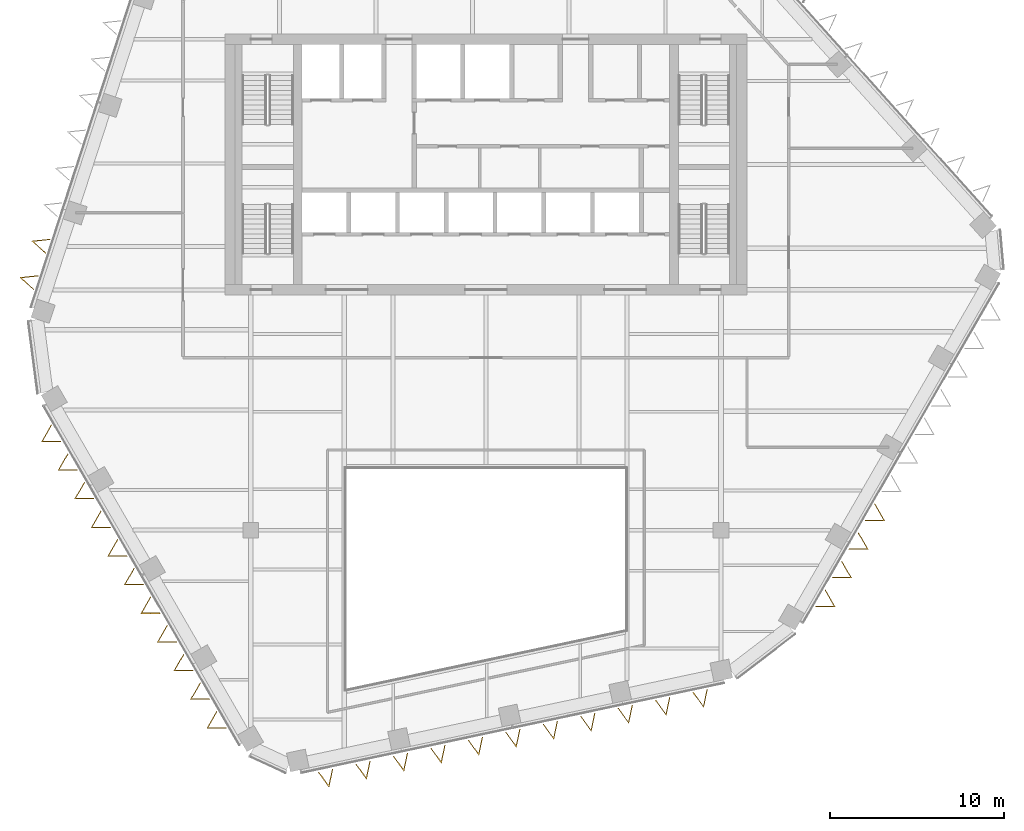
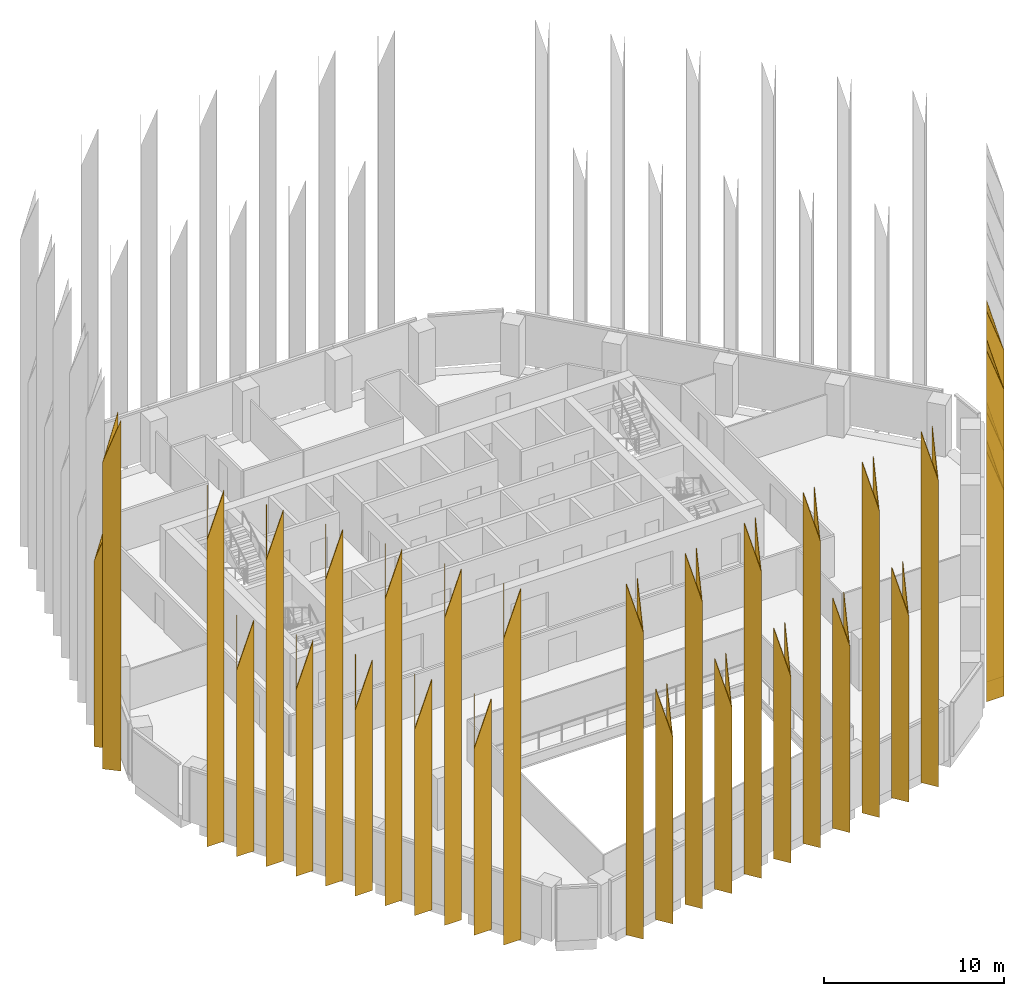
# One storey, part 16 of 18: 28 coverings.
"""IFC4 building model written with IfcOpenShell, lengths in metres."""

from ifc_helpers import new_model, si_unit, direction, frame, origin, place, context, subcontext, project, spatial, polyline, outline, faceted_brep, material, material_profile, profile_set, type_object, element, save


model = new_model("IFC4")

# Units and contexts
model_context = context("Model", 3, precision=1e-05, world=origin(), true_north=direction((0.0, 1.0)))
body_context = subcontext(model_context, "Body", "Model", "MODEL_VIEW")
ifc_project = project(units=[si_unit("LENGTHUNIT", "METRE"), si_unit("AREAUNIT", "SQUARE_METRE"), si_unit("VOLUMEUNIT", "CUBIC_METRE"), si_unit("PLANEANGLEUNIT", "RADIAN"), si_unit("MASSUNIT", "GRAM", prefix="KILO")], contexts=[model_context])

# Site, building, storey
site_placement = place(None, origin())
site = spatial("IfcSite", under=ifc_project, at=site_placement, CompositionType="ELEMENT")
building_placement = place(site_placement, origin())
building = spatial("IfcBuilding", under=site, at=building_placement, Name="Isthmus Gate Tower", CompositionType="ELEMENT")
storey_placement = place(building_placement, frame((0.0, 0.0, 238.199951171875)))
storey = spatial("IfcBuildingStorey", under=building, at=storey_placement, Name="L60", CompositionType="ELEMENT", Elevation=238.199951171875)

# Coverings
ifc_material_1 = material(Name="Structural steel ASTM A572 Gr 50, white paint system", Category="steel")
ifc_material_profile_1 = material_profile(ifc_material_1, outline(polyline([(0.0, -0.427490234375), (0.9599609375, 0.0), (0.0, 0.427490234375), (0.0, 0.39453125), (0.88623046875, 0.0), (0.0, -0.39453125), (0.0, -0.427490234375)])), Name="V960")
ifc_profile_set_1 = profile_set([ifc_material_profile_1], Name="Structural steel ASTM A572 Gr 50, white paint system")
covering_type_1 = type_object("IfcCoveringType", Name="FIN V 960 DEEP", PredefinedType="CLADDING", material=ifc_profile_set_1)
covering_1_placement = place(storey_placement, frame((0.0, 0.0, -238.199951171875)))
element("IfcCovering", 1, at=covering_1_placement, inside=storey, type_object=covering_type_1, Name="FIN", ObjectType="FIN", PredefinedType="CLADDING", context=body_context, shape_type="Brep", body=[
    faceted_brep([(-25.046630859375, 3.1806640625, 237.800048828125), (-26.01123046875, 3.079345703125, 237.800048828125), (-25.290283203125, 2.43017578125, 237.800048828125), (-25.300537109375, 2.39892578125, 237.800048828125), (-26.08154296875, 3.10205078125, 237.800048828125), (-25.036376953125, 3.2119140625, 237.800048828125), (-25.036376953125, 3.2119140625, 253.39990234375), (-26.08154296875, 3.10205078125, 250.39990234375), (-25.300537109375, 2.39892578125, 253.39990234375), (-25.290283203125, 2.43017578125, 253.39990234375), (-26.01123046875, 3.079345703125, 250.63037109375), (-25.046630859375, 3.1806640625, 253.39990234375)], [[[0, 1, 2, 3, 4, 5]], [[6, 7, 8, 9, 10, 11]], [[5, 4, 7, 6]], [[4, 3, 8, 7]], [[3, 2, 9, 8]], [[2, 1, 10, 9]], [[1, 0, 11, 10]], [[0, 5, 6, 11]]]),
])
covering_2_placement = place(storey_placement, frame((0.0, 0.0, -238.199951171875)))
element("IfcCovering", 2, at=covering_2_placement, inside=storey, type_object=covering_type_1, Name="FIN", ObjectType="FIN", PredefinedType="CLADDING", context=body_context, shape_type="Brep", body=[
    faceted_brep([(-25.7265625, 1.08837890625, 237.800048828125), (-26.691162109375, 0.987060546875, 237.800048828125), (-25.97021484375, 0.337890625, 237.800048828125), (-25.98046875, 0.306640625, 237.800048828125), (-26.761474609375, 1.009765625, 237.800048828125), (-25.71630859375, 1.11962890625, 237.800048828125), (-25.71630859375, 1.11962890625, 261.550048828125), (-26.761474609375, 1.009765625, 258.550048828125), (-25.98046875, 0.306640625, 261.550048828125), (-25.97021484375, 0.337890625, 261.550048828125), (-26.691162109375, 0.987060546875, 258.780517578125), (-25.7265625, 1.08837890625, 261.550048828125)], [[[0, 1, 2, 3, 4, 5]], [[6, 7, 8, 9, 10, 11]], [[5, 4, 7, 6]], [[4, 3, 8, 7]], [[3, 2, 9, 8]], [[2, 1, 10, 9]], [[1, 0, 11, 10]], [[0, 5, 6, 11]]]),
])
covering_3_placement = place(storey_placement, frame((0.0, 0.0, -238.199951171875)))
element("IfcCovering", 3, at=covering_3_placement, inside=storey, type_object=covering_type_1, Name="FIN", ObjectType="FIN", PredefinedType="CLADDING", context=body_context, shape_type="Brep", body=[
    faceted_brep([(-9.5986328125, -27.39794921875, 237.800048828125), (-9.0283203125, -28.182861328125, 237.800048828125), (-8.82666015625, -27.23388671875, 237.800048828125), (-8.794677734375, -27.22705078125, 237.800048828125), (-9.012939453125, -28.2548828125, 237.800048828125), (-9.630615234375, -27.40478515625, 237.800048828125), (-9.630615234375, -27.40478515625, 261.550048828125), (-9.012939453125, -28.2548828125, 258.550048828125), (-8.794677734375, -27.22705078125, 261.550048828125), (-8.82666015625, -27.23388671875, 261.550048828125), (-9.0283203125, -28.182861328125, 258.780517578125), (-9.5986328125, -27.39794921875, 261.550048828125)], [[[0, 1, 2, 3, 4, 5]], [[6, 7, 8, 9, 10, 11]], [[5, 4, 7, 6]], [[4, 3, 8, 7]], [[3, 2, 9, 8]], [[2, 1, 10, 9]], [[1, 0, 11, 10]], [[0, 5, 6, 11]]]),
])
covering_4_placement = place(storey_placement, frame((0.0, 0.0, -238.199951171875)))
element("IfcCovering", 4, at=covering_4_placement, inside=storey, type_object=covering_type_1, Name="FIN", ObjectType="FIN", PredefinedType="CLADDING", context=body_context, shape_type="Brep", body=[
    faceted_brep([(-7.44677734375, -26.940673828125, 237.800048828125), (-6.87646484375, -27.7255859375, 237.800048828125), (-6.6748046875, -26.776611328125, 237.800048828125), (-6.642822265625, -26.769775390625, 237.800048828125), (-6.861083984375, -27.797607421875, 237.800048828125), (-7.478759765625, -26.947509765625, 237.800048828125), (-7.478759765625, -26.947509765625, 253.39990234375), (-6.861083984375, -27.797607421875, 250.39990234375), (-6.642822265625, -26.769775390625, 253.39990234375), (-6.6748046875, -26.776611328125, 253.39990234375), (-6.87646484375, -27.7255859375, 250.63037109375), (-7.44677734375, -26.940673828125, 253.39990234375)], [[[0, 1, 2, 3, 4, 5]], [[6, 7, 8, 9, 10, 11]], [[5, 4, 7, 6]], [[4, 3, 8, 7]], [[3, 2, 9, 8]], [[2, 1, 10, 9]], [[1, 0, 11, 10]], [[0, 5, 6, 11]]]),
])
covering_5_placement = place(storey_placement, frame((0.0, 0.0, -238.199951171875)))
element("IfcCovering", 5, at=covering_5_placement, inside=storey, type_object=covering_type_1, Name="FIN", ObjectType="FIN", PredefinedType="CLADDING", context=body_context, shape_type="Brep", body=[
    faceted_brep([(-5.294921875, -26.483154296875, 237.800048828125), (-4.724609375, -27.26806640625, 237.800048828125), (-4.52294921875, -26.319091796875, 237.800048828125), (-4.490966796875, -26.312255859375, 237.800048828125), (-4.709228515625, -27.340087890625, 237.800048828125), (-5.326904296875, -26.489990234375, 237.800048828125), (-5.326904296875, -26.489990234375, 261.550048828125), (-4.709228515625, -27.340087890625, 258.550048828125), (-4.490966796875, -26.312255859375, 261.550048828125), (-4.52294921875, -26.319091796875, 261.550048828125), (-4.724609375, -27.26806640625, 258.780517578125), (-5.294921875, -26.483154296875, 261.550048828125)], [[[0, 1, 2, 3, 4, 5]], [[6, 7, 8, 9, 10, 11]], [[5, 4, 7, 6]], [[4, 3, 8, 7]], [[3, 2, 9, 8]], [[2, 1, 10, 9]], [[1, 0, 11, 10]], [[0, 5, 6, 11]]]),
])
covering_6_placement = place(storey_placement, frame((0.0, 0.0, -238.199951171875)))
element("IfcCovering", 6, at=covering_6_placement, inside=storey, type_object=covering_type_1, Name="FIN", ObjectType="FIN", PredefinedType="CLADDING", context=body_context, shape_type="Brep", body=[
    faceted_brep([(-3.142822265625, -26.02587890625, 237.800048828125), (-2.572509765625, -26.810791015625, 237.800048828125), (-2.370849609375, -25.86181640625, 237.800048828125), (-2.3388671875, -25.85498046875, 237.800048828125), (-2.55712890625, -26.8828125, 237.800048828125), (-3.1748046875, -26.03271484375, 237.800048828125), (-3.1748046875, -26.03271484375, 253.39990234375), (-2.55712890625, -26.8828125, 250.39990234375), (-2.3388671875, -25.85498046875, 253.39990234375), (-2.370849609375, -25.86181640625, 253.39990234375), (-2.572509765625, -26.810791015625, 250.63037109375), (-3.142822265625, -26.02587890625, 253.39990234375)], [[[0, 1, 2, 3, 4, 5]], [[6, 7, 8, 9, 10, 11]], [[5, 4, 7, 6]], [[4, 3, 8, 7]], [[3, 2, 9, 8]], [[2, 1, 10, 9]], [[1, 0, 11, 10]], [[0, 5, 6, 11]]]),
])
covering_7_placement = place(storey_placement, frame((0.0, 0.0, -238.199951171875)))
element("IfcCovering", 7, at=covering_7_placement, inside=storey, type_object=covering_type_1, Name="FIN", ObjectType="FIN", PredefinedType="CLADDING", context=body_context, shape_type="Brep", body=[
    faceted_brep([(-0.990966796875, -25.568359375, 237.800048828125), (-0.420654296875, -26.353271484375, 237.800048828125), (-0.218994140625, -25.404296875, 237.800048828125), (-0.18701171875, -25.3974609375, 237.800048828125), (-0.4052734375, -26.42529296875, 237.800048828125), (-1.02294921875, -25.5751953125, 237.800048828125), (-1.02294921875, -25.5751953125, 261.550048828125), (-0.4052734375, -26.42529296875, 258.550048828125), (-0.18701171875, -25.3974609375, 261.550048828125), (-0.218994140625, -25.404296875, 261.550048828125), (-0.420654296875, -26.353271484375, 258.780517578125), (-0.990966796875, -25.568359375, 261.550048828125)], [[[0, 1, 2, 3, 4, 5]], [[6, 7, 8, 9, 10, 11]], [[5, 4, 7, 6]], [[4, 3, 8, 7]], [[3, 2, 9, 8]], [[2, 1, 10, 9]], [[1, 0, 11, 10]], [[0, 5, 6, 11]]]),
])
covering_8_placement = place(storey_placement, frame((0.0, 0.0, -238.199951171875)))
element("IfcCovering", 8, at=covering_8_placement, inside=storey, type_object=covering_type_1, Name="FIN", ObjectType="FIN", PredefinedType="CLADDING", context=body_context, shape_type="Brep", body=[
    faceted_brep([(1.160888671875, -25.111083984375, 237.800048828125), (1.731201171875, -25.89599609375, 237.800048828125), (1.932861328125, -24.947021484375, 237.800048828125), (1.96484375, -24.940185546875, 237.800048828125), (1.74658203125, -25.968017578125, 237.800048828125), (1.12890625, -25.117919921875, 237.800048828125), (1.12890625, -25.117919921875, 253.39990234375), (1.74658203125, -25.968017578125, 250.39990234375), (1.96484375, -24.940185546875, 253.39990234375), (1.932861328125, -24.947021484375, 253.39990234375), (1.731201171875, -25.89599609375, 250.63037109375), (1.160888671875, -25.111083984375, 253.39990234375)], [[[0, 1, 2, 3, 4, 5]], [[6, 7, 8, 9, 10, 11]], [[5, 4, 7, 6]], [[4, 3, 8, 7]], [[3, 2, 9, 8]], [[2, 1, 10, 9]], [[1, 0, 11, 10]], [[0, 5, 6, 11]]]),
])
covering_9_placement = place(storey_placement, frame((0.0, 0.0, -238.199951171875)))
element("IfcCovering", 9, at=covering_9_placement, inside=storey, type_object=covering_type_1, Name="FIN", ObjectType="FIN", PredefinedType="CLADDING", context=body_context, shape_type="Brep", body=[
    faceted_brep([(3.31298828125, -24.653564453125, 237.800048828125), (3.88330078125, -25.4384765625, 237.800048828125), (4.0849609375, -24.489501953125, 237.800048828125), (4.116943359375, -24.482666015625, 237.800048828125), (3.898681640625, -25.510498046875, 237.800048828125), (3.281005859375, -24.660400390625, 237.800048828125), (3.281005859375, -24.660400390625, 261.550048828125), (3.898681640625, -25.510498046875, 258.550048828125), (4.116943359375, -24.482666015625, 261.550048828125), (4.0849609375, -24.489501953125, 261.550048828125), (3.88330078125, -25.4384765625, 258.780517578125), (3.31298828125, -24.653564453125, 261.550048828125)], [[[0, 1, 2, 3, 4, 5]], [[6, 7, 8, 9, 10, 11]], [[5, 4, 7, 6]], [[4, 3, 8, 7]], [[3, 2, 9, 8]], [[2, 1, 10, 9]], [[1, 0, 11, 10]], [[0, 5, 6, 11]]]),
])
covering_10_placement = place(storey_placement, frame((0.0, 0.0, -238.199951171875)))
element("IfcCovering", 10, at=covering_10_placement, inside=storey, type_object=covering_type_1, Name="FIN", ObjectType="FIN", PredefinedType="CLADDING", context=body_context, shape_type="Brep", body=[
    faceted_brep([(5.46484375, -24.1962890625, 237.800048828125), (6.03515625, -24.981201171875, 237.800048828125), (6.23681640625, -24.0322265625, 237.800048828125), (6.268798828125, -24.025390625, 237.800048828125), (6.050537109375, -25.05322265625, 237.800048828125), (5.432861328125, -24.203125, 237.800048828125), (5.432861328125, -24.203125, 253.39990234375), (6.050537109375, -25.05322265625, 250.39990234375), (6.268798828125, -24.025390625, 253.39990234375), (6.23681640625, -24.0322265625, 253.39990234375), (6.03515625, -24.981201171875, 250.63037109375), (5.46484375, -24.1962890625, 253.39990234375)], [[[0, 1, 2, 3, 4, 5]], [[6, 7, 8, 9, 10, 11]], [[5, 4, 7, 6]], [[4, 3, 8, 7]], [[3, 2, 9, 8]], [[2, 1, 10, 9]], [[1, 0, 11, 10]], [[0, 5, 6, 11]]]),
])
covering_11_placement = place(storey_placement, frame((0.0, 0.0, -238.199951171875)))
element("IfcCovering", 11, at=covering_11_placement, inside=storey, type_object=covering_type_1, Name="FIN", ObjectType="FIN", PredefinedType="CLADDING", context=body_context, shape_type="Brep", body=[
    faceted_brep([(7.61669921875, -23.73876953125, 237.800048828125), (8.18701171875, -24.523681640625, 237.800048828125), (8.388671875, -23.57470703125, 237.800048828125), (8.420654296875, -23.56787109375, 237.800048828125), (8.202392578125, -24.595703125, 237.800048828125), (7.584716796875, -23.74560546875, 237.800048828125), (7.584716796875, -23.74560546875, 261.550048828125), (8.202392578125, -24.595703125, 258.550048828125), (8.420654296875, -23.56787109375, 261.550048828125), (8.388671875, -23.57470703125, 261.550048828125), (8.18701171875, -24.523681640625, 258.780517578125), (7.61669921875, -23.73876953125, 261.550048828125)], [[[0, 1, 2, 3, 4, 5]], [[6, 7, 8, 9, 10, 11]], [[5, 4, 7, 6]], [[4, 3, 8, 7]], [[3, 2, 9, 8]], [[2, 1, 10, 9]], [[1, 0, 11, 10]], [[0, 5, 6, 11]]]),
])
covering_12_placement = place(storey_placement, frame((0.0, 0.0, -238.199951171875)))
element("IfcCovering", 12, at=covering_12_placement, inside=storey, type_object=covering_type_1, Name="FIN", ObjectType="FIN", PredefinedType="CLADDING", context=body_context, shape_type="Brep", body=[
    faceted_brep([(9.7685546875, -23.281494140625, 237.800048828125), (10.3388671875, -24.06640625, 237.800048828125), (10.54052734375, -23.117431640625, 237.800048828125), (10.572509765625, -23.110595703125, 237.800048828125), (10.354248046875, -24.138427734375, 237.800048828125), (9.736572265625, -23.288330078125, 237.800048828125), (9.736572265625, -23.288330078125, 253.39990234375), (10.354248046875, -24.138427734375, 250.39990234375), (10.572509765625, -23.110595703125, 253.39990234375), (10.54052734375, -23.117431640625, 253.39990234375), (10.3388671875, -24.06640625, 250.63037109375), (9.7685546875, -23.281494140625, 253.39990234375)], [[[0, 1, 2, 3, 4, 5]], [[6, 7, 8, 9, 10, 11]], [[5, 4, 7, 6]], [[4, 3, 8, 7]], [[3, 2, 9, 8]], [[2, 1, 10, 9]], [[1, 0, 11, 10]], [[0, 5, 6, 11]]]),
])
covering_13_placement = place(storey_placement, frame((0.0, 0.0, -238.199951171875)))
element("IfcCovering", 13, at=covering_13_placement, inside=storey, type_object=covering_type_1, Name="FIN", ObjectType="FIN", PredefinedType="CLADDING", context=body_context, shape_type="Brep", body=[
    faceted_brep([(11.920654296875, -22.823974609375, 237.800048828125), (12.490966796875, -23.60888671875, 237.800048828125), (12.692626953125, -22.659912109375, 237.800048828125), (12.724609375, -22.653076171875, 237.800048828125), (12.50634765625, -23.680908203125, 237.800048828125), (11.888671875, -22.830810546875, 237.800048828125), (11.888671875, -22.830810546875, 261.550048828125), (12.50634765625, -23.680908203125, 258.550048828125), (12.724609375, -22.653076171875, 261.550048828125), (12.692626953125, -22.659912109375, 261.550048828125), (12.490966796875, -23.60888671875, 258.780517578125), (11.920654296875, -22.823974609375, 261.550048828125)], [[[0, 1, 2, 3, 4, 5]], [[6, 7, 8, 9, 10, 11]], [[5, 4, 7, 6]], [[4, 3, 8, 7]], [[3, 2, 9, 8]], [[2, 1, 10, 9]], [[1, 0, 11, 10]], [[0, 5, 6, 11]]]),
])
ifc_material_2 = material(Name="Structural steel ASTM A572 Gr 50, white paint system", Category="steel")
ifc_material_profile_2 = material_profile(ifc_material_2, outline(polyline([(0.0, -0.55419921875), (0.9599609375, 0.0), (0.0, 0.55419921875), (0.0, 0.51953125), (0.89990234375, 0.0), (0.0, -0.51953125), (0.0, -0.55419921875)])), Name="V960W")
ifc_profile_set_2 = profile_set([ifc_material_profile_2], Name="Structural steel ASTM A572 Gr 50, white paint system")
covering_type_2 = type_object("IfcCoveringType", Name="FIN V 960 DEEP WIDE", PredefinedType="CLADDING", material=ifc_profile_set_2)
covering_14_placement = place(storey_placement, frame((0.0, 0.0, -238.199951171875)))
element("IfcCovering", 14, at=covering_14_placement, inside=storey, type_object=covering_type_2, Name="FIN", ObjectType="FIN", PredefinedType="CLADDING", context=body_context, shape_type="Brep", body=[
    faceted_brep([(-24.948486328125, -7.488037109375, 237.800048828125), (-25.46826171875, -8.387939453125, 237.800048828125), (-24.428955078125, -8.387939453125, 237.800048828125), (-24.41162109375, -8.41796875, 237.800048828125), (-25.52001953125, -8.41796875, 237.800048828125), (-24.9658203125, -7.4580078125, 237.800048828125), (-24.9658203125, -7.4580078125, 261.550048828125), (-25.52001953125, -8.41796875, 258.550048828125), (-24.41162109375, -8.41796875, 261.550048828125), (-24.428955078125, -8.387939453125, 261.550048828125), (-25.46826171875, -8.387939453125, 258.737548828125), (-24.948486328125, -7.488037109375, 261.550048828125)], [[[0, 1, 2, 3, 4, 5]], [[6, 7, 8, 9, 10, 11]], [[5, 4, 7, 6]], [[4, 3, 8, 7]], [[3, 2, 9, 8]], [[2, 1, 10, 9]], [[1, 0, 11, 10]], [[0, 5, 6, 11]]]),
])
covering_15_placement = place(storey_placement, frame((0.0, 0.0, -238.199951171875)))
element("IfcCovering", 15, at=covering_15_placement, inside=storey, type_object=covering_type_2, Name="FIN", ObjectType="FIN", PredefinedType="CLADDING", context=body_context, shape_type="Brep", body=[
    faceted_brep([(-23.99853515625, -9.13330078125, 237.800048828125), (-24.518310546875, -10.033203125, 237.800048828125), (-23.47900390625, -10.033203125, 237.800048828125), (-23.461669921875, -10.063232421875, 237.800048828125), (-24.570068359375, -10.063232421875, 237.800048828125), (-24.015869140625, -9.103271484375, 237.800048828125), (-24.015869140625, -9.103271484375, 253.39990234375), (-24.570068359375, -10.063232421875, 250.39990234375), (-23.461669921875, -10.063232421875, 253.39990234375), (-23.47900390625, -10.033203125, 253.39990234375), (-24.518310546875, -10.033203125, 250.58740234375), (-23.99853515625, -9.13330078125, 253.39990234375)], [[[0, 1, 2, 3, 4, 5]], [[6, 7, 8, 9, 10, 11]], [[5, 4, 7, 6]], [[4, 3, 8, 7]], [[3, 2, 9, 8]], [[2, 1, 10, 9]], [[1, 0, 11, 10]], [[0, 5, 6, 11]]]),
])
covering_16_placement = place(storey_placement, frame((0.0, 0.0, -238.199951171875)))
element("IfcCovering", 16, at=covering_16_placement, inside=storey, type_object=covering_type_2, Name="FIN", ObjectType="FIN", PredefinedType="CLADDING", context=body_context, shape_type="Brep", body=[
    faceted_brep([(-23.048583984375, -10.77880859375, 237.800048828125), (-23.568359375, -11.6787109375, 237.800048828125), (-22.529052734375, -11.6787109375, 237.800048828125), (-22.51171875, -11.708740234375, 237.800048828125), (-23.6201171875, -11.708740234375, 237.800048828125), (-23.06591796875, -10.748779296875, 237.800048828125), (-23.06591796875, -10.748779296875, 261.550048828125), (-23.6201171875, -11.708740234375, 258.550048828125), (-22.51171875, -11.708740234375, 261.550048828125), (-22.529052734375, -11.6787109375, 261.550048828125), (-23.568359375, -11.6787109375, 258.737548828125), (-23.048583984375, -10.77880859375, 261.550048828125)], [[[0, 1, 2, 3, 4, 5]], [[6, 7, 8, 9, 10, 11]], [[5, 4, 7, 6]], [[4, 3, 8, 7]], [[3, 2, 9, 8]], [[2, 1, 10, 9]], [[1, 0, 11, 10]], [[0, 5, 6, 11]]]),
])
covering_17_placement = place(storey_placement, frame((0.0, 0.0, -238.199951171875)))
element("IfcCovering", 17, at=covering_17_placement, inside=storey, type_object=covering_type_2, Name="FIN", ObjectType="FIN", PredefinedType="CLADDING", context=body_context, shape_type="Brep", body=[
    faceted_brep([(-22.098388671875, -12.42431640625, 237.800048828125), (-22.6181640625, -13.32421875, 237.800048828125), (-21.578857421875, -13.32421875, 237.800048828125), (-21.5615234375, -13.354248046875, 237.800048828125), (-22.669921875, -13.354248046875, 237.800048828125), (-22.11572265625, -12.394287109375, 237.800048828125), (-22.11572265625, -12.394287109375, 253.39990234375), (-22.669921875, -13.354248046875, 250.39990234375), (-21.5615234375, -13.354248046875, 253.39990234375), (-21.578857421875, -13.32421875, 253.39990234375), (-22.6181640625, -13.32421875, 250.58740234375), (-22.098388671875, -12.42431640625, 253.39990234375)], [[[0, 1, 2, 3, 4, 5]], [[6, 7, 8, 9, 10, 11]], [[5, 4, 7, 6]], [[4, 3, 8, 7]], [[3, 2, 9, 8]], [[2, 1, 10, 9]], [[1, 0, 11, 10]], [[0, 5, 6, 11]]]),
])
covering_18_placement = place(storey_placement, frame((0.0, 0.0, -238.199951171875)))
element("IfcCovering", 18, at=covering_18_placement, inside=storey, type_object=covering_type_2, Name="FIN", ObjectType="FIN", PredefinedType="CLADDING", context=body_context, shape_type="Brep", body=[
    faceted_brep([(-21.1484375, -14.06982421875, 237.800048828125), (-21.668212890625, -14.9697265625, 237.800048828125), (-20.62890625, -14.9697265625, 237.800048828125), (-20.611572265625, -14.999755859375, 237.800048828125), (-21.719970703125, -14.999755859375, 237.800048828125), (-21.165771484375, -14.039794921875, 237.800048828125), (-21.165771484375, -14.039794921875, 261.550048828125), (-21.719970703125, -14.999755859375, 258.550048828125), (-20.611572265625, -14.999755859375, 261.550048828125), (-20.62890625, -14.9697265625, 261.550048828125), (-21.668212890625, -14.9697265625, 258.737548828125), (-21.1484375, -14.06982421875, 261.550048828125)], [[[0, 1, 2, 3, 4, 5]], [[6, 7, 8, 9, 10, 11]], [[5, 4, 7, 6]], [[4, 3, 8, 7]], [[3, 2, 9, 8]], [[2, 1, 10, 9]], [[1, 0, 11, 10]], [[0, 5, 6, 11]]]),
])
covering_19_placement = place(storey_placement, frame((0.0, 0.0, -238.199951171875)))
element("IfcCovering", 19, at=covering_19_placement, inside=storey, type_object=covering_type_2, Name="FIN", ObjectType="FIN", PredefinedType="CLADDING", context=body_context, shape_type="Brep", body=[
    faceted_brep([(-20.198486328125, -15.715087890625, 237.800048828125), (-20.71826171875, -16.614990234375, 237.800048828125), (-19.678955078125, -16.614990234375, 237.800048828125), (-19.66162109375, -16.64501953125, 237.800048828125), (-20.77001953125, -16.64501953125, 237.800048828125), (-20.2158203125, -15.68505859375, 237.800048828125), (-20.2158203125, -15.68505859375, 253.39990234375), (-20.77001953125, -16.64501953125, 250.39990234375), (-19.66162109375, -16.64501953125, 253.39990234375), (-19.678955078125, -16.614990234375, 253.39990234375), (-20.71826171875, -16.614990234375, 250.58740234375), (-20.198486328125, -15.715087890625, 253.39990234375)], [[[0, 1, 2, 3, 4, 5]], [[6, 7, 8, 9, 10, 11]], [[5, 4, 7, 6]], [[4, 3, 8, 7]], [[3, 2, 9, 8]], [[2, 1, 10, 9]], [[1, 0, 11, 10]], [[0, 5, 6, 11]]]),
])
covering_20_placement = place(storey_placement, frame((0.0, 0.0, -238.199951171875)))
element("IfcCovering", 20, at=covering_20_placement, inside=storey, type_object=covering_type_2, Name="FIN", ObjectType="FIN", PredefinedType="CLADDING", context=body_context, shape_type="Brep", body=[
    faceted_brep([(-19.24853515625, -17.360595703125, 237.800048828125), (-19.768310546875, -18.260498046875, 237.800048828125), (-18.72900390625, -18.260498046875, 237.800048828125), (-18.711669921875, -18.29052734375, 237.800048828125), (-19.820068359375, -18.29052734375, 237.800048828125), (-19.265869140625, -17.33056640625, 237.800048828125), (-19.265869140625, -17.33056640625, 261.550048828125), (-19.820068359375, -18.29052734375, 258.550048828125), (-18.711669921875, -18.29052734375, 261.550048828125), (-18.72900390625, -18.260498046875, 261.550048828125), (-19.768310546875, -18.260498046875, 258.737548828125), (-19.24853515625, -17.360595703125, 261.550048828125)], [[[0, 1, 2, 3, 4, 5]], [[6, 7, 8, 9, 10, 11]], [[5, 4, 7, 6]], [[4, 3, 8, 7]], [[3, 2, 9, 8]], [[2, 1, 10, 9]], [[1, 0, 11, 10]], [[0, 5, 6, 11]]]),
])
covering_21_placement = place(storey_placement, frame((0.0, 0.0, -238.199951171875)))
element("IfcCovering", 21, at=covering_21_placement, inside=storey, type_object=covering_type_2, Name="FIN", ObjectType="FIN", PredefinedType="CLADDING", context=body_context, shape_type="Brep", body=[
    faceted_brep([(-18.298583984375, -19.006103515625, 237.800048828125), (-18.818359375, -19.906005859375, 237.800048828125), (-17.779052734375, -19.906005859375, 237.800048828125), (-17.76171875, -19.93603515625, 237.800048828125), (-18.8701171875, -19.93603515625, 237.800048828125), (-18.31591796875, -18.97607421875, 237.800048828125), (-18.31591796875, -18.97607421875, 253.39990234375), (-18.8701171875, -19.93603515625, 250.39990234375), (-17.76171875, -19.93603515625, 253.39990234375), (-17.779052734375, -19.906005859375, 253.39990234375), (-18.818359375, -19.906005859375, 250.58740234375), (-18.298583984375, -19.006103515625, 253.39990234375)], [[[0, 1, 2, 3, 4, 5]], [[6, 7, 8, 9, 10, 11]], [[5, 4, 7, 6]], [[4, 3, 8, 7]], [[3, 2, 9, 8]], [[2, 1, 10, 9]], [[1, 0, 11, 10]], [[0, 5, 6, 11]]]),
])
covering_22_placement = place(storey_placement, frame((0.0, 0.0, -238.199951171875)))
element("IfcCovering", 22, at=covering_22_placement, inside=storey, type_object=covering_type_2, Name="FIN", ObjectType="FIN", PredefinedType="CLADDING", context=body_context, shape_type="Brep", body=[
    faceted_brep([(-17.348388671875, -20.651611328125, 237.800048828125), (-17.8681640625, -21.551513671875, 237.800048828125), (-16.828857421875, -21.551513671875, 237.800048828125), (-16.8115234375, -21.58154296875, 237.800048828125), (-17.919921875, -21.58154296875, 237.800048828125), (-17.36572265625, -20.62158203125, 237.800048828125), (-17.36572265625, -20.62158203125, 261.550048828125), (-17.919921875, -21.58154296875, 258.550048828125), (-16.8115234375, -21.58154296875, 261.550048828125), (-16.828857421875, -21.551513671875, 261.550048828125), (-17.8681640625, -21.551513671875, 258.737548828125), (-17.348388671875, -20.651611328125, 261.550048828125)], [[[0, 1, 2, 3, 4, 5]], [[6, 7, 8, 9, 10, 11]], [[5, 4, 7, 6]], [[4, 3, 8, 7]], [[3, 2, 9, 8]], [[2, 1, 10, 9]], [[1, 0, 11, 10]], [[0, 5, 6, 11]]]),
])
covering_23_placement = place(storey_placement, frame((0.0, 0.0, -238.199951171875)))
element("IfcCovering", 23, at=covering_23_placement, inside=storey, type_object=covering_type_2, Name="FIN", ObjectType="FIN", PredefinedType="CLADDING", context=body_context, shape_type="Brep", body=[
    faceted_brep([(-16.3984375, -22.297119140625, 237.800048828125), (-16.918212890625, -23.197021484375, 237.800048828125), (-15.87890625, -23.197021484375, 237.800048828125), (-15.861572265625, -23.22705078125, 237.800048828125), (-16.969970703125, -23.22705078125, 237.800048828125), (-16.415771484375, -22.26708984375, 237.800048828125), (-16.415771484375, -22.26708984375, 253.39990234375), (-16.969970703125, -23.22705078125, 250.39990234375), (-15.861572265625, -23.22705078125, 253.39990234375), (-15.87890625, -23.197021484375, 253.39990234375), (-16.918212890625, -23.197021484375, 250.58740234375), (-16.3984375, -22.297119140625, 253.39990234375)], [[[0, 1, 2, 3, 4, 5]], [[6, 7, 8, 9, 10, 11]], [[5, 4, 7, 6]], [[4, 3, 8, 7]], [[3, 2, 9, 8]], [[2, 1, 10, 9]], [[1, 0, 11, 10]], [[0, 5, 6, 11]]]),
])
covering_24_placement = place(storey_placement, frame((0.0, 0.0, -238.199951171875)))
element("IfcCovering", 24, at=covering_24_placement, inside=storey, type_object=covering_type_2, Name="FIN", ObjectType="FIN", PredefinedType="CLADDING", context=body_context, shape_type="Brep", body=[
    faceted_brep([(-15.448486328125, -23.9423828125, 237.800048828125), (-15.96826171875, -24.84228515625, 237.800048828125), (-14.928955078125, -24.84228515625, 237.800048828125), (-14.91162109375, -24.872314453125, 237.800048828125), (-16.02001953125, -24.872314453125, 237.800048828125), (-15.4658203125, -23.912353515625, 237.800048828125), (-15.4658203125, -23.912353515625, 261.550048828125), (-16.02001953125, -24.872314453125, 258.550048828125), (-14.91162109375, -24.872314453125, 261.550048828125), (-14.928955078125, -24.84228515625, 261.550048828125), (-15.96826171875, -24.84228515625, 258.737548828125), (-15.448486328125, -23.9423828125, 261.550048828125)], [[[0, 1, 2, 3, 4, 5]], [[6, 7, 8, 9, 10, 11]], [[5, 4, 7, 6]], [[4, 3, 8, 7]], [[3, 2, 9, 8]], [[2, 1, 10, 9]], [[1, 0, 11, 10]], [[0, 5, 6, 11]]]),
])
covering_25_placement = place(storey_placement, frame((0.0, 0.0, -238.199951171875)))
element("IfcCovering", 25, at=covering_25_placement, inside=storey, type_object=covering_type_2, Name="FIN", ObjectType="FIN", PredefinedType="CLADDING", context=body_context, shape_type="Brep", body=[
    faceted_brep([(18.958984375, -17.862060546875, 237.800048828125), (19.998291015625, -17.862060546875, 237.800048828125), (19.478515625, -16.962158203125, 237.800048828125), (19.495849609375, -16.93212890625, 237.800048828125), (20.050048828125, -17.89208984375, 237.800048828125), (18.941650390625, -17.89208984375, 237.800048828125), (18.941650390625, -17.89208984375, 261.550048828125), (20.050048828125, -17.89208984375, 258.550048828125), (19.495849609375, -16.93212890625, 261.550048828125), (19.478515625, -16.962158203125, 261.550048828125), (19.998291015625, -17.862060546875, 258.737548828125), (18.958984375, -17.862060546875, 261.550048828125)], [[[0, 1, 2, 3, 4, 5]], [[6, 7, 8, 9, 10, 11]], [[5, 4, 7, 6]], [[4, 3, 8, 7]], [[3, 2, 9, 8]], [[2, 1, 10, 9]], [[1, 0, 11, 10]], [[0, 5, 6, 11]]]),
])
covering_26_placement = place(storey_placement, frame((0.0, 0.0, -238.199951171875)))
element("IfcCovering", 26, at=covering_26_placement, inside=storey, type_object=covering_type_2, Name="FIN", ObjectType="FIN", PredefinedType="CLADDING", context=body_context, shape_type="Brep", body=[
    faceted_brep([(19.908935546875, -16.216552734375, 237.800048828125), (20.9482421875, -16.216552734375, 237.800048828125), (20.428466796875, -15.316650390625, 237.800048828125), (20.44580078125, -15.28662109375, 237.800048828125), (21.0, -16.24658203125, 237.800048828125), (19.8916015625, -16.24658203125, 237.800048828125), (19.8916015625, -16.24658203125, 253.39990234375), (21.0, -16.24658203125, 250.39990234375), (20.44580078125, -15.28662109375, 253.39990234375), (20.428466796875, -15.316650390625, 253.39990234375), (20.9482421875, -16.216552734375, 250.58740234375), (19.908935546875, -16.216552734375, 253.39990234375)], [[[0, 1, 2, 3, 4, 5]], [[6, 7, 8, 9, 10, 11]], [[5, 4, 7, 6]], [[4, 3, 8, 7]], [[3, 2, 9, 8]], [[2, 1, 10, 9]], [[1, 0, 11, 10]], [[0, 5, 6, 11]]]),
])
covering_27_placement = place(storey_placement, frame((0.0, 0.0, -238.199951171875)))
element("IfcCovering", 27, at=covering_27_placement, inside=storey, type_object=covering_type_2, Name="FIN", ObjectType="FIN", PredefinedType="CLADDING", context=body_context, shape_type="Brep", body=[
    faceted_brep([(20.859130859375, -14.571044921875, 237.800048828125), (21.8984375, -14.571044921875, 237.800048828125), (21.378662109375, -13.671142578125, 237.800048828125), (21.39599609375, -13.64111328125, 237.800048828125), (21.9501953125, -14.60107421875, 237.800048828125), (20.841796875, -14.60107421875, 237.800048828125), (20.841796875, -14.60107421875, 261.550048828125), (21.9501953125, -14.60107421875, 258.550048828125), (21.39599609375, -13.64111328125, 261.550048828125), (21.378662109375, -13.671142578125, 261.550048828125), (21.8984375, -14.571044921875, 258.737548828125), (20.859130859375, -14.571044921875, 261.550048828125)], [[[0, 1, 2, 3, 4, 5]], [[6, 7, 8, 9, 10, 11]], [[5, 4, 7, 6]], [[4, 3, 8, 7]], [[3, 2, 9, 8]], [[2, 1, 10, 9]], [[1, 0, 11, 10]], [[0, 5, 6, 11]]]),
])
covering_28_placement = place(storey_placement, frame((0.0, 0.0, -238.199951171875)))
element("IfcCovering", 28, at=covering_28_placement, inside=storey, type_object=covering_type_2, Name="FIN", ObjectType="FIN", PredefinedType="CLADDING", context=body_context, shape_type="Brep", body=[
    faceted_brep([(21.80908203125, -12.92578125, 237.800048828125), (22.848388671875, -12.92578125, 237.800048828125), (22.32861328125, -12.02587890625, 237.800048828125), (22.345947265625, -11.995849609375, 237.800048828125), (22.900146484375, -12.955810546875, 237.800048828125), (21.791748046875, -12.955810546875, 237.800048828125), (21.791748046875, -12.955810546875, 253.39990234375), (22.900146484375, -12.955810546875, 250.39990234375), (22.345947265625, -11.995849609375, 253.39990234375), (22.32861328125, -12.02587890625, 253.39990234375), (22.848388671875, -12.92578125, 250.58740234375), (21.80908203125, -12.92578125, 253.39990234375)], [[[0, 1, 2, 3, 4, 5]], [[6, 7, 8, 9, 10, 11]], [[5, 4, 7, 6]], [[4, 3, 8, 7]], [[3, 2, 9, 8]], [[2, 1, 10, 9]], [[1, 0, 11, 10]], [[0, 5, 6, 11]]]),
])

save(model, "model.ifc")
